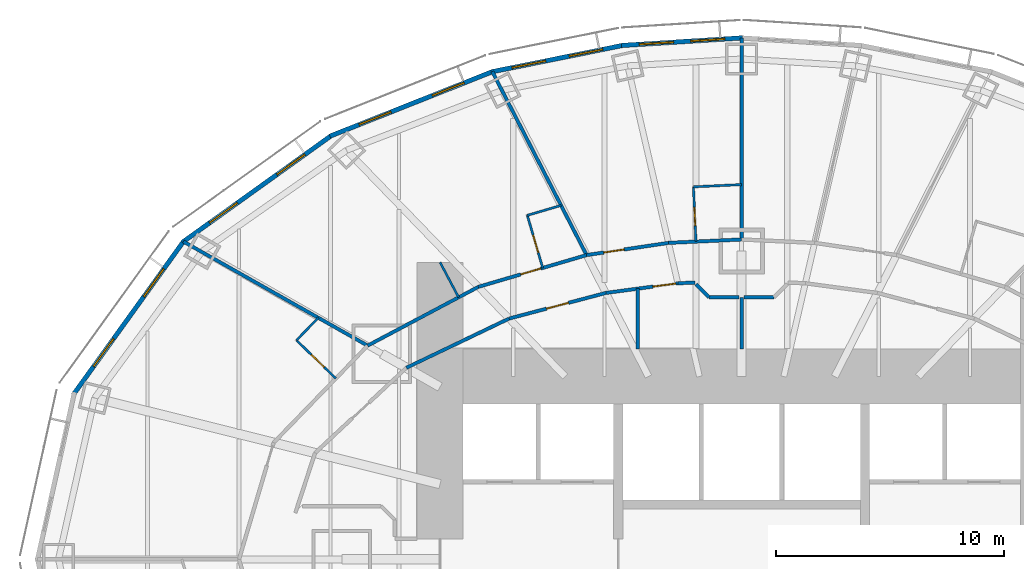
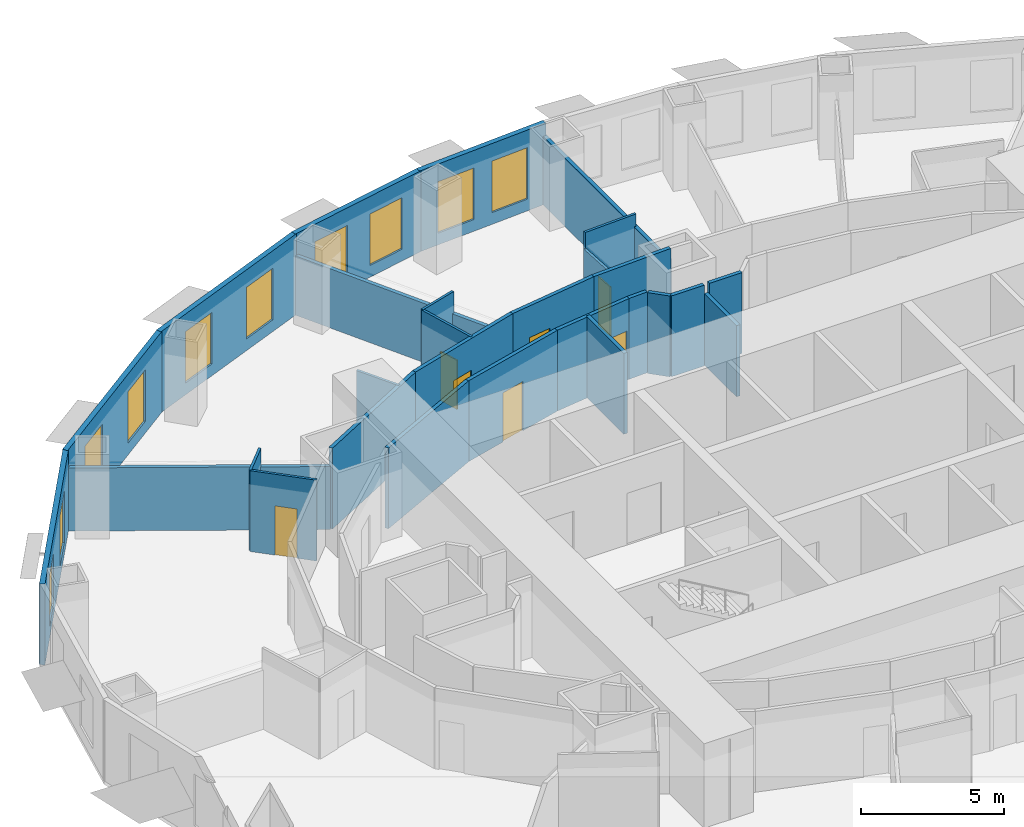
# One storey, part 9 of 15: 28 walls, 10 windows, 7 doors, 17 openings.
"""IFC4 building model written with IfcOpenShell, lengths in metres."""

from ifc_helpers import new_model, si_unit, direction, frame, frame_2d, origin, place, context, subcontext, project, spatial, rectangle, extrude, material, layer, layer_set, type_object, element, fill, save


model = new_model("IFC4")

# Units and contexts
model_context = context("Model", 3, precision=1e-05, world=origin(), true_north=direction((0.0, 1.0)))
body_context = subcontext(model_context, "Body", "Model", "MODEL_VIEW")
ifc_project = project(units=[si_unit("LENGTHUNIT", "METRE"), si_unit("AREAUNIT", "SQUARE_METRE"), si_unit("VOLUMEUNIT", "CUBIC_METRE"), si_unit("PLANEANGLEUNIT", "RADIAN"), si_unit("MASSUNIT", "GRAM", prefix="KILO")], contexts=[model_context])

# Site, building, storey
site_placement = place(None, origin())
site = spatial("IfcSite", under=ifc_project, at=site_placement, CompositionType="ELEMENT")
building_placement = place(site_placement, origin())
building = spatial("IfcBuilding", under=site, at=building_placement, Name="Lantaw Convention Tower", CompositionType="ELEMENT")
storey_placement = place(building_placement, frame((0.0, 0.0, 73.0)))
storey = spatial("IfcBuildingStorey", under=building, at=storey_placement, Name="L16", CompositionType="ELEMENT", Elevation=73.0)

# Wall
ifc_material_1 = material(Name="Gypsum board on steel studs", Category="steel")
ifc_layer_1 = layer(ifc_material_1, 0.14990234375)
ifc_layer_set_1 = layer_set([ifc_layer_1], Name="Back of house wall 150")
wall_type_1 = type_object("IfcWallType", Name="Back of house wall 150", PredefinedType="PARTITIONING", material=ifc_layer_set_1)
wall_1_placement = place(storey_placement, frame((0.0, 9.199951171875, 0.0), z_axis=(0.0, 0.0, 1.0), x_axis=(0.0, 1.0, 0.0)))
element("IfcWall", 1, at=wall_1_placement, inside=storey, type_object=wall_type_1, Name="Back of house wall 150", PredefinedType="PARTITIONING", context=body_context, shape_type="SweptSolid", body=[
    extrude(rectangle(XDim=2.26513671875, YDim=0.14990234375, at=frame_2d((1.132568359375, 0.0))), origin(), (0.0, 0.0, 1.0), 3.043701171875),
])

# Wall, opening, door
ifc_material_2 = material(Name="Moisture resistant gypsum board on steel studs", Category="steel")
ifc_layer_2 = layer(ifc_material_2, 0.10009765625)
ifc_layer_set_2 = layer_set([ifc_layer_2], Name="Bathroom wall 100")
wall_type_2 = type_object("IfcWallType", Name="Bathroom wall 100", PredefinedType="PARTITIONING", material=ifc_layer_set_2)
wall_2_placement = place(storey_placement, frame((-1.997802734375, 13.9072265625, 0.0), z_axis=(0.0, 0.0, 1.0), x_axis=(-0.046492089498, 0.998918658157, 0.0)))
wall_2 = element("IfcWall", 2, at=wall_2_placement, inside=storey, type_object=wall_type_2, Name="Bathroom wall 100", PredefinedType="PARTITIONING", context=body_context, shape_type="SweptSolid", body=[
    extrude(rectangle(XDim=2.39990234375, YDim=0.10009765625, at=frame_2d((1.199951171875, 0.0))), origin(), (0.0, 0.0, 1.0), 2.7490234375),
])
opening_1_placement = place(wall_2_placement, frame((0.699951171875, 0.0, 0.0)))
opening_1 = element("IfcOpeningElement", 3, at=opening_1_placement, cuts=wall_2, Name="Opening L16.33", PredefinedType="OPENING", context=body_context, shape_type="SweptSolid", body=[
    extrude(rectangle(XDim=0.800048828125, YDim=2.10009765625, at=frame_2d((0.39990234375, 1.050048828125))), frame((0.0, 0.06005859375, 0.0), z_axis=(0.0, -1.0, 0.0), x_axis=(1.0, 0.0, 0.0)), (0.0, 0.0, 1.0), 0.1201171875),
])
ifc_material_3 = material(Name="Timber", Category="wood")
door_type_1 = type_object("IfcDoorType", Name="Bathroom door 800", OperationType="SINGLE_SWING_LEFT", PredefinedType="DOOR", material=ifc_material_3)
door_1_placement = place(opening_1_placement, origin())
door_1 = element("IfcDoor", 4, at=door_1_placement, inside=storey, type_object=door_type_1, Name="Bathroom door", OperationType="SINGLE_SWING_LEFT", OverallHeight=2.10009765625, OverallWidth=0.800048828125, PredefinedType="DOOR", context=body_context, shape_type="SweptSolid", body=[
    extrude(rectangle(XDim=0.800048828125, YDim=2.10009765625, at=frame_2d((0.39990234375, 1.050048828125))), frame((0.0, 0.02490234375, 0.0), z_axis=(0.0, -1.0, 0.0), x_axis=(1.0, 0.0, 0.0)), (0.0, 0.0, 1.0), 0.050048828125),
])
fill(opening_1, door_1)

# Wall
wall_3_placement = place(storey_placement, frame((-2.109375, 16.304443359375, 0.0), z_axis=(0.0, 0.0, 1.0), x_axis=(0.998919337223, 0.04647749694, 0.0)))
element("IfcWall", 5, at=wall_3_placement, inside=storey, type_object=wall_type_2, Name="Bathroom wall 100", PredefinedType="PARTITIONING", context=body_context, shape_type="SweptSolid", body=[
    extrude(rectangle(XDim=2.111572265625, YDim=0.10009765625, at=frame_2d((1.0556640625, 0.0))), origin(), (0.0, 0.0, 1.0), 3.449951171875),
])

# Wall, opening, door
wall_4_placement = place(storey_placement, frame((-8.70458984375, 12.75390625, 0.0), z_axis=(0.0, 0.0, 1.0), x_axis=(-0.281659633817, 0.959514382736, 0.0)))
wall_4 = element("IfcWall", 6, at=wall_4_placement, inside=storey, type_object=wall_type_2, Name="Bathroom wall 100", PredefinedType="PARTITIONING", context=body_context, shape_type="SweptSolid", body=[
    extrude(rectangle(XDim=2.400146484375, YDim=0.10009765625, at=frame_2d((1.2001953125, 0.0))), origin(), (0.0, 0.0, 1.0), 3.449951171875),
])
opening_2_placement = place(wall_4_placement, frame((0.699951171875, 0.0, 0.0)))
opening_2 = element("IfcOpeningElement", 7, at=opening_2_placement, cuts=wall_4, Name="Opening L16.35", PredefinedType="OPENING", context=body_context, shape_type="SweptSolid", body=[
    extrude(rectangle(XDim=0.800048828125, YDim=2.10009765625, at=frame_2d((0.39990234375, 1.050048828125))), frame((0.0, 0.06005859375, 0.0), z_axis=(0.0, -1.0, 0.0), x_axis=(1.0, 0.0, 0.0)), (0.0, 0.0, 1.0), 0.1201171875),
])
door_2_placement = place(opening_2_placement, origin())
door_2 = element("IfcDoor", 8, at=door_2_placement, inside=storey, type_object=door_type_1, Name="Bathroom door", OperationType="SINGLE_SWING_LEFT", OverallHeight=2.10009765625, OverallWidth=0.800048828125, PredefinedType="DOOR", context=body_context, shape_type="SweptSolid", body=[
    extrude(rectangle(XDim=0.800048828125, YDim=2.10009765625, at=frame_2d((0.39990234375, 1.050048828125))), frame((0.0, 0.02490234375, 0.0), z_axis=(0.0, -1.0, 0.0), x_axis=(1.0, 0.0, 0.0)), (0.0, 0.0, 1.0), 0.050048828125),
])
fill(opening_2, door_2)

# Wall
wall_5_placement = place(storey_placement, frame((-9.380615234375, 15.056884765625, 0.0), z_axis=(0.0, 0.0, 1.0), x_axis=(0.959518451093, 0.281645773999, 0.0)))
element("IfcWall", 9, at=wall_5_placement, inside=storey, type_object=wall_type_2, Name="Bathroom wall 100", PredefinedType="PARTITIONING", context=body_context, shape_type="SweptSolid", body=[
    extrude(rectangle(XDim=1.549072265625, YDim=0.10009765625, at=frame_2d((0.7744140625, 0.0))), origin(), (0.0, 0.0, 1.0), 3.449951171875),
])

# Wall, opening, door
wall_6_placement = place(storey_placement, frame((-17.7607421875, 7.91748046875, 0.0), z_axis=(0.0, 0.0, 1.0), x_axis=(-0.718157610206, 0.695880483204, 0.0)))
wall_6 = element("IfcWall", 10, at=wall_6_placement, inside=storey, type_object=wall_type_2, Name="Bathroom wall 100", PredefinedType="PARTITIONING", context=body_context, shape_type="SweptSolid", body=[
    extrude(rectangle(XDim=2.400146484375, YDim=0.10009765625, at=frame_2d((1.2001953125, 0.0))), origin(), (0.0, 0.0, 1.0), 3.449951171875),
])
opening_3_placement = place(wall_6_placement, frame((0.699951171875, 0.0, 0.0)))
opening_3 = element("IfcOpeningElement", 11, at=opening_3_placement, cuts=wall_6, Name="Opening L16.37", PredefinedType="OPENING", context=body_context, shape_type="SweptSolid", body=[
    extrude(rectangle(XDim=0.800048828125, YDim=2.10009765625, at=frame_2d((0.39990234375, 1.050048828125))), frame((0.0, 0.06005859375, 0.0), z_axis=(0.0, -1.0, 0.0), x_axis=(1.0, 0.0, 0.0)), (0.0, 0.0, 1.0), 0.1201171875),
])
door_3_placement = place(opening_3_placement, origin())
door_3 = element("IfcDoor", 12, at=door_3_placement, inside=storey, type_object=door_type_1, Name="Bathroom door", OperationType="SINGLE_SWING_LEFT", OverallHeight=2.10009765625, OverallWidth=0.800048828125, PredefinedType="DOOR", context=body_context, shape_type="SweptSolid", body=[
    extrude(rectangle(XDim=0.800048828125, YDim=2.10009765625, at=frame_2d((0.39990234375, 1.050048828125))), frame((0.0, 0.02490234375, 0.0), z_axis=(0.0, -1.0, 0.0), x_axis=(1.0, 0.0, 0.0)), (0.0, 0.0, 1.0), 0.050048828125),
])
fill(opening_3, door_3)

# Walls
wall_7_placement = place(storey_placement, frame((-19.484375, 9.587646484375, 0.0), z_axis=(0.0, 0.0, 1.0), x_axis=(0.695920174922, 0.718119147591, 0.0)))
element("IfcWall", 13, at=wall_7_placement, inside=storey, type_object=wall_type_2, Name="Bathroom wall 100", PredefinedType="PARTITIONING", context=body_context, shape_type="SweptSolid", body=[
    extrude(rectangle(XDim=1.3857421875, YDim=0.10009765625, at=frame_2d((0.69287109375, 0.0))), origin(), (0.0, 0.0, 1.0), 3.449951171875),
])
ifc_material_4 = material(Name="Gypsum board on steel studs, fire rated", Category="steel")
ifc_layer_3 = layer(ifc_material_4, 0.14990234375)
ifc_layer_set_3 = layer_set([ifc_layer_3], Name="Corridor wall 150 EI 60")
wall_type_3 = type_object("IfcWallType", Name="Corridor wall 150 EI 60", PredefinedType="PARTITIONING", material=ifc_layer_set_3)
wall_8_placement = place(storey_placement, frame((0.0, 14.0, 0.0), z_axis=(0.0, 0.0, 1.0), x_axis=(-0.998920826789, -0.046445471333, 0.0)))
element("IfcWall", 14, at=wall_8_placement, inside=storey, type_object=wall_type_3, Name="Corridor wall 150", PredefinedType="PARTITIONING", context=body_context, shape_type="SweptSolid", body=[
    extrude(rectangle(XDim=3.201171875, YDim=0.14990234375, at=frame_2d((1.6005859375, 0.0))), origin(), (0.0, 0.0, 1.0), 3.449951171875),
])

# Wall, opening, door
wall_9_placement = place(storey_placement, frame((-3.19775390625, 13.851318359375, 0.0), z_axis=(0.0, 0.0, 1.0), x_axis=(-0.989107488999, -0.14719502439, 0.0)))
wall_9 = element("IfcWall", 15, at=wall_9_placement, inside=storey, type_object=wall_type_3, Name="Corridor wall 150", PredefinedType="PARTITIONING", context=body_context, shape_type="SweptSolid", body=[
    extrude(rectangle(XDim=3.62744140625, YDim=0.14990234375, at=frame_2d((1.813720703125, 0.0))), origin(), (0.0, 0.0, 1.0), 3.449951171875),
])
opening_4_placement = place(wall_9_placement, frame((1.970458984375, 0.0, 0.0)))
opening_4 = element("IfcOpeningElement", 16, at=opening_4_placement, cuts=wall_9, Name="Opening L16.34", PredefinedType="OPENING", context=body_context, shape_type="SweptSolid", body=[
    extrude(rectangle(XDim=0.89990234375, YDim=2.10009765625, at=frame_2d((0.449951171875, 1.050048828125))), frame((0.0, 0.0849609375, 0.0), z_axis=(0.0, -1.0, 0.0), x_axis=(1.0, 0.0, 0.0)), (0.0, 0.0, 1.0), 0.169921875),
])
ifc_material_5 = material(Name="Steel, fire rated", Category="steel")
door_type_2 = type_object("IfcDoorType", Name="Guest room entrance door FD30S", OperationType="SINGLE_SWING_LEFT", PredefinedType="DOOR", material=ifc_material_5)
door_4_placement = place(opening_4_placement, origin())
door_4 = element("IfcDoor", 17, at=door_4_placement, inside=storey, type_object=door_type_2, Name="Junior suite entrance door", OperationType="SINGLE_SWING_LEFT", OverallHeight=2.10009765625, OverallWidth=0.89990234375, PredefinedType="DOOR", context=body_context, shape_type="SweptSolid", body=[
    extrude(rectangle(XDim=0.89990234375, YDim=2.10009765625, at=frame_2d((0.449951171875, 1.050048828125))), frame((0.0, 0.02490234375, 0.0), z_axis=(0.0, -1.0, 0.0), x_axis=(1.0, 0.0, 0.0)), (0.0, 0.0, 1.0), 0.050048828125),
])
fill(opening_4, door_4)

wall_10_placement = place(storey_placement, frame((-6.78564453125, 13.3173828125, 0.0), z_axis=(0.0, 0.0, 1.0), x_axis=(-0.959496227294, -0.281721475589, 0.0)))
wall_10 = element("IfcWall", 18, at=wall_10_placement, inside=storey, type_object=wall_type_3, Name="Corridor wall 150", PredefinedType="PARTITIONING", context=body_context, shape_type="SweptSolid", body=[
    extrude(rectangle(XDim=4.9326171875, YDim=0.14990234375, at=frame_2d((2.46630859375, 0.0))), origin(), (0.0, 0.0, 1.0), 3.449951171875),
])
opening_5_placement = place(wall_10_placement, frame((2.10009765625, 0.0, 0.0)))
opening_5 = element("IfcOpeningElement", 19, at=opening_5_placement, cuts=wall_10, Name="Opening L16.36", PredefinedType="OPENING", context=body_context, shape_type="SweptSolid", body=[
    extrude(rectangle(XDim=0.89990234375, YDim=2.10009765625, at=frame_2d((0.449951171875, 1.050048828125))), frame((0.0, 0.0849609375, 0.0), z_axis=(0.0, -1.0, 0.0), x_axis=(1.0, 0.0, 0.0)), (0.0, 0.0, 1.0), 0.169921875),
])
door_5_placement = place(opening_5_placement, origin())
door_5 = element("IfcDoor", 20, at=door_5_placement, inside=storey, type_object=door_type_2, Name="Junior suite entrance door", OperationType="SINGLE_SWING_LEFT", OverallHeight=2.10009765625, OverallWidth=0.89990234375, PredefinedType="DOOR", context=body_context, shape_type="SweptSolid", body=[
    extrude(rectangle(XDim=0.89990234375, YDim=2.10009765625, at=frame_2d((0.449951171875, 1.050048828125))), frame((0.0, 0.02490234375, 0.0), z_axis=(0.0, -1.0, 0.0), x_axis=(1.0, 0.0, 0.0)), (0.0, 0.0, 1.0), 0.050048828125),
])
fill(opening_5, door_5)

# Wall
wall_11_placement = place(storey_placement, frame((-11.5185546875, 11.927734375, 0.0), z_axis=(0.0, 0.0, 1.0), x_axis=(-0.883334368785, -0.468743419071, 0.0)))
element("IfcWall", 21, at=wall_11_placement, inside=storey, type_object=wall_type_3, Name="Corridor wall 150", PredefinedType="PARTITIONING", context=body_context, shape_type="SweptSolid", body=[
    extrude(rectangle(XDim=5.4912109375, YDim=0.14990234375, at=frame_2d((2.74560546875, 0.0))), origin(), (0.0, 0.0, 1.0), 3.449951171875),
])

# Wall, opening, door
wall_12_placement = place(storey_placement, frame((-2.78955078125, 12.0830078125, 0.0), z_axis=(0.0, 0.0, 1.0), x_axis=(-0.991129053928, -0.13290296633, 0.0)))
wall_12 = element("IfcWall", 22, at=wall_12_placement, inside=storey, type_object=wall_type_3, Name="Corridor wall 150", PredefinedType="PARTITIONING", context=body_context, shape_type="SweptSolid", body=[
    extrude(rectangle(XDim=3.179931640625, YDim=0.14990234375, at=frame_2d((1.58984375, 0.0))), origin(), (0.0, 0.0, 1.0), 3.449951171875),
])
opening_6_placement = place(wall_12_placement, frame((0.10009765625, 0.0, 0.0)))
opening_6 = element("IfcOpeningElement", 23, at=opening_6_placement, cuts=wall_12, Name="Opening L16.19", PredefinedType="OPENING", context=body_context, shape_type="SweptSolid", body=[
    extrude(rectangle(XDim=1.0, YDim=2.10009765625, at=frame_2d((0.5, 1.050048828125))), frame((0.0, 0.0849609375, 0.0), z_axis=(0.0, -1.0, 0.0), x_axis=(1.0, 0.0, 0.0)), (0.0, 0.0, 1.0), 0.169921875),
])
door_type_3 = type_object("IfcDoorType", Name="Accessible WC door 1000 FD30", OperationType="SINGLE_SWING_LEFT", PredefinedType="DOOR", material=ifc_material_5)
door_6_placement = place(opening_6_placement, origin())
door_6 = element("IfcDoor", 24, at=door_6_placement, inside=storey, type_object=door_type_3, Name="Accessible WC door", OperationType="SINGLE_SWING_LEFT", OverallHeight=2.10009765625, OverallWidth=1.0, PredefinedType="DOOR", context=body_context, shape_type="SweptSolid", body=[
    extrude(rectangle(XDim=1.0, YDim=2.10009765625, at=frame_2d((0.5, 1.050048828125))), frame((0.0, 0.02490234375, 0.0), z_axis=(0.0, -1.0, 0.0), x_axis=(1.0, 0.0, 0.0)), (0.0, 0.0, 1.0), 0.050048828125),
])
fill(opening_6, door_6)

wall_13_placement = place(storey_placement, frame((-5.941162109375, 11.660400390625, 0.0), z_axis=(0.0, 0.0, 1.0), x_axis=(-0.966672790407, -0.256015070428, 0.0)))
wall_13 = element("IfcWall", 25, at=wall_13_placement, inside=storey, type_object=wall_type_3, Name="Corridor wall 150", PredefinedType="PARTITIONING", context=body_context, shape_type="SweptSolid", body=[
    extrude(rectangle(XDim=4.3818359375, YDim=0.14990234375, at=frame_2d((2.19091796875, 0.0))), origin(), (0.0, 0.0, 1.0), 3.449951171875),
])
opening_7_placement = place(wall_13_placement, frame((1.69091796875, 0.0, 0.0)))
opening_7 = element("IfcOpeningElement", 26, at=opening_7_placement, cuts=wall_13, Name="Opening L16.20", PredefinedType="OPENING", context=body_context, shape_type="SweptSolid", body=[
    extrude(rectangle(XDim=1.0, YDim=2.10009765625, at=frame_2d((0.5, 1.050048828125))), frame((0.0, 0.0849609375, 0.0), z_axis=(0.0, -1.0, 0.0), x_axis=(1.0, 0.0, 0.0)), (0.0, 0.0, 1.0), 0.169921875),
])
door_type_4 = type_object("IfcDoorType", Name="Service door 1000 FD30", OperationType="SINGLE_SWING_LEFT", PredefinedType="DOOR", material=ifc_material_5)
door_7_placement = place(opening_7_placement, origin())
door_7 = element("IfcDoor", 27, at=door_7_placement, inside=storey, type_object=door_type_4, Name="Housekeeping room door", OperationType="SINGLE_SWING_LEFT", OverallHeight=2.10009765625, OverallWidth=1.0, PredefinedType="DOOR", context=body_context, shape_type="SweptSolid", body=[
    extrude(rectangle(XDim=1.0, YDim=2.10009765625, at=frame_2d((0.5, 1.050048828125))), frame((0.0, 0.02490234375, 0.0), z_axis=(0.0, -1.0, 0.0), x_axis=(1.0, 0.0, 0.0)), (0.0, 0.0, 1.0), 0.050048828125),
])
fill(opening_7, door_7)

# Walls
wall_14_placement = place(storey_placement, frame((-10.177001953125, 10.53857421875, 0.0), z_axis=(0.0, 0.0, 1.0), x_axis=(-0.901869692799, -0.43200816799, 0.0)))
element("IfcWall", 28, at=wall_14_placement, inside=storey, type_object=wall_type_3, Name="Corridor wall 150", PredefinedType="PARTITIONING", context=body_context, shape_type="SweptSolid", body=[
    extrude(rectangle(XDim=4.985595703125, YDim=0.14990234375, at=frame_2d((2.49267578125, 0.0))), origin(), (0.0, 0.0, 1.0), 3.449951171875),
])
wall_15_placement = place(storey_placement, frame((-2.034912109375, 12.11474609375, 0.0), z_axis=(0.0, 0.0, 1.0), x_axis=(-0.999116751279, -0.042020439232, 0.0)))
element("IfcWall", 29, at=wall_15_placement, inside=storey, type_object=wall_type_3, Name="Corridor wall 150", PredefinedType="PARTITIONING", context=body_context, shape_type="SweptSolid", body=[
    extrude(rectangle(XDim=0.75537109375, YDim=0.14990234375, at=frame_2d((0.377685546875, 0.0))), origin(), (0.0, 0.0, 1.0), 3.449951171875),
])
for number, where, z_axis, x_axis, name in (
    (30, (1.424560546875, 11.47509765625, 0.0), (0.0, 0.0, 1.0), (-1.0, 0.0, 0.0), "Corridor wall 150"),
    (31, (-0.103271484375, 11.47509765625, 0.0), (0.0, 0.0, 1.0), (-1.0, 0.0, 0.0), "Corridor wall 150"),
):
    element("IfcWall", number, at=place(storey_placement, frame(where, z_axis=z_axis, x_axis=x_axis)), inside=storey, type_object=wall_type_3, Name=name, PredefinedType="PARTITIONING", context=body_context, shape_type="SweptSolid", body=[
        extrude(rectangle(XDim=1.3212890625, YDim=0.14990234375, at=frame_2d((0.66064453125, 0.0))), origin(), (0.0, 0.0, 1.0), 3.449951171875),
    ])
wall_16_placement = place(storey_placement, frame((-1.424560546875, 11.47509765625, 0.0), z_axis=(0.0, 0.0, 1.0), x_axis=(-0.707106781187, 0.707106781187, 0.0)))
element("IfcWall", 32, at=wall_16_placement, inside=storey, type_object=wall_type_3, Name="Corridor wall 150", PredefinedType="PARTITIONING", context=body_context, shape_type="SweptSolid", body=[
    extrude(rectangle(XDim=0.808349609375, YDim=0.14990234375, at=frame_2d((0.404296875, 0.0))), origin(), (0.0, 0.0, 1.0), 3.449951171875),
])

# Wall, openings, windows
ifc_material_6 = material(Name="Insulated aluminium panel on steel frame", Category="steel")
ifc_layer_4 = layer(ifc_material_6, 0.199951171875)
ifc_layer_set_4 = layer_set([ifc_layer_4], Name="External wall 200")
wall_type_4 = type_object("IfcWallType", Name="External wall 200", PredefinedType="SOLIDWALL", material=ifc_layer_set_4)
wall_17_placement = place(storey_placement, frame((0.041015625, 22.8271484375, 0.0), z_axis=(0.0, 0.0, 1.0), x_axis=(-0.998018582375, -0.062919863585, 0.0)))
wall_17 = element("IfcWall", 33, at=wall_17_placement, inside=storey, type_object=wall_type_4, Name="Facade panel wall", PredefinedType="SOLIDWALL", context=body_context, shape_type="SweptSolid", body=[
    extrude(rectangle(XDim=5.30419921875, YDim=0.199951171875, at=frame_2d((2.652099609375, 0.0))), origin(), (0.0, 0.0, 1.0), 3.449951171875),
])
opening_8_placement = place(wall_17_placement, frame((0.77587890625, 0.0, 0.5)))
opening_8 = element("IfcOpeningElement", 34, at=opening_8_placement, cuts=wall_17, Name="Opening W2", PredefinedType="OPENING", context=body_context, shape_type="SweptSolid", body=[
    extrude(rectangle(XDim=1.5, YDim=2.199951171875, at=frame_2d((0.75, 1.10009765625))), frame((0.0, 0.10986328125, 0.0), z_axis=(0.0, -1.0, 0.0), x_axis=(1.0, 0.0, 0.0)), (0.0, 0.0, 1.0), 0.219970703125),
])
opening_9_placement = place(wall_17_placement, frame((3.028076171875, 0.0, 0.5)))
opening_9 = element("IfcOpeningElement", 35, at=opening_9_placement, cuts=wall_17, Name="Opening W2", PredefinedType="OPENING", context=body_context, shape_type="SweptSolid", body=[
    extrude(rectangle(XDim=1.5, YDim=2.199951171875, at=frame_2d((0.75, 1.10009765625))), frame((0.0, 0.10986328125, 0.0), z_axis=(0.0, -1.0, 0.0), x_axis=(1.0, 0.0, 0.0)), (0.0, 0.0, 1.0), 0.219970703125),
])
ifc_material_7 = material(Name="Aluminium frame, clear insulating glass", Category="aluminium")
window_type = type_object("IfcWindowType", Name="Suite window 1500x2200", PartitioningType="SINGLE_PANEL", PredefinedType="WINDOW", material=ifc_material_7)
window_1_placement = place(opening_8_placement, origin())
window_1 = element("IfcWindow", 36, at=window_1_placement, inside=storey, type_object=window_type, Name="Guest room window", OverallHeight=2.199951171875, OverallWidth=1.5, PartitioningType="SINGLE_PANEL", PredefinedType="WINDOW", context=body_context, shape_type="SweptSolid", body=[
    extrude(rectangle(XDim=1.5, YDim=2.199951171875, at=frame_2d((0.75, 1.10009765625))), frame((0.0, 0.030029296875, 0.0), z_axis=(0.0, -1.0, 0.0), x_axis=(1.0, 0.0, 0.0)), (0.0, 0.0, 1.0), 0.06005859375),
])
fill(opening_8, window_1)
window_2_placement = place(opening_9_placement, origin())
window_2 = element("IfcWindow", 37, at=window_2_placement, inside=storey, type_object=window_type, Name="Guest room window", OverallHeight=2.199951171875, OverallWidth=1.5, PartitioningType="SINGLE_PANEL", PredefinedType="WINDOW", context=body_context, shape_type="SweptSolid", body=[
    extrude(rectangle(XDim=1.5, YDim=2.199951171875, at=frame_2d((0.75, 1.10009765625))), frame((0.0, 0.030029296875, 0.0), z_axis=(0.0, -1.0, 0.0), x_axis=(1.0, 0.0, 0.0)), (0.0, 0.0, 1.0), 0.06005859375),
])
fill(opening_9, window_2)

wall_18_placement = place(storey_placement, frame((-5.169677734375, 22.504150390625, 0.0), z_axis=(0.0, 0.0, 1.0), x_axis=(-0.980251657452, -0.197754110105, 0.0)))
wall_18 = element("IfcWall", 38, at=wall_18_placement, inside=storey, type_object=wall_type_4, Name="Facade panel wall", PredefinedType="SOLIDWALL", context=body_context, shape_type="SweptSolid", body=[
    extrude(rectangle(XDim=5.90380859375, YDim=0.199951171875, at=frame_2d((2.951904296875, 0.0))), origin(), (0.0, 0.0, 1.0), 3.449951171875),
])
opening_10_placement = place(wall_18_placement, frame((0.92578125, 0.0, 0.5)))
opening_10 = element("IfcOpeningElement", 39, at=opening_10_placement, cuts=wall_18, Name="Opening W2", PredefinedType="OPENING", context=body_context, shape_type="SweptSolid", body=[
    extrude(rectangle(XDim=1.5, YDim=2.199951171875, at=frame_2d((0.75, 1.10009765625))), frame((0.0, 0.10986328125, 0.0), z_axis=(0.0, -1.0, 0.0), x_axis=(1.0, 0.0, 0.0)), (0.0, 0.0, 1.0), 0.219970703125),
])
opening_11_placement = place(wall_18_placement, frame((3.477783203125, 0.0, 0.5)))
opening_11 = element("IfcOpeningElement", 40, at=opening_11_placement, cuts=wall_18, Name="Opening W2", PredefinedType="OPENING", context=body_context, shape_type="SweptSolid", body=[
    extrude(rectangle(XDim=1.5, YDim=2.199951171875, at=frame_2d((0.75, 1.10009765625))), frame((0.0, 0.10986328125, 0.0), z_axis=(0.0, -1.0, 0.0), x_axis=(1.0, 0.0, 0.0)), (0.0, 0.0, 1.0), 0.219970703125),
])
window_3_placement = place(opening_10_placement, origin())
window_3 = element("IfcWindow", 41, at=window_3_placement, inside=storey, type_object=window_type, Name="Guest room window", OverallHeight=2.199951171875, OverallWidth=1.5, PartitioningType="SINGLE_PANEL", PredefinedType="WINDOW", context=body_context, shape_type="SweptSolid", body=[
    extrude(rectangle(XDim=1.5, YDim=2.199951171875, at=frame_2d((0.75, 1.10009765625))), frame((0.0, 0.030029296875, 0.0), z_axis=(0.0, -1.0, 0.0), x_axis=(1.0, 0.0, 0.0)), (0.0, 0.0, 1.0), 0.06005859375),
])
fill(opening_10, window_3)
window_4_placement = place(opening_11_placement, origin())
window_4 = element("IfcWindow", 42, at=window_4_placement, inside=storey, type_object=window_type, Name="Guest room window", OverallHeight=2.199951171875, OverallWidth=1.5, PartitioningType="SINGLE_PANEL", PredefinedType="WINDOW", context=body_context, shape_type="SweptSolid", body=[
    extrude(rectangle(XDim=1.5, YDim=2.199951171875, at=frame_2d((0.75, 1.10009765625))), frame((0.0, 0.030029296875, 0.0), z_axis=(0.0, -1.0, 0.0), x_axis=(1.0, 0.0, 0.0)), (0.0, 0.0, 1.0), 0.06005859375),
])
fill(opening_11, window_4)

wall_19_placement = place(storey_placement, frame((-10.869384765625, 21.362548828125, 0.0), z_axis=(0.0, 0.0, 1.0), x_axis=(-0.929358351251, -0.369178892895, 0.0)))
wall_19 = element("IfcWall", 43, at=wall_19_placement, inside=storey, type_object=wall_type_4, Name="Facade panel wall", PredefinedType="SOLIDWALL", context=body_context, shape_type="SweptSolid", body=[
    extrude(rectangle(XDim=7.6923828125, YDim=0.199951171875, at=frame_2d((3.84619140625, 0.0))), origin(), (0.0, 0.0, 1.0), 3.449951171875),
])
opening_12_placement = place(wall_19_placement, frame((1.373046875, 0.0, 0.5)))
opening_12 = element("IfcOpeningElement", 44, at=opening_12_placement, cuts=wall_19, Name="Opening W2", PredefinedType="OPENING", context=body_context, shape_type="SweptSolid", body=[
    extrude(rectangle(XDim=1.5, YDim=2.199951171875, at=frame_2d((0.75, 1.10009765625))), frame((0.0, 0.10986328125, 0.0), z_axis=(0.0, -1.0, 0.0), x_axis=(1.0, 0.0, 0.0)), (0.0, 0.0, 1.0), 0.219970703125),
])
opening_13_placement = place(wall_19_placement, frame((4.819091796875, 0.0, 0.5)))
opening_13 = element("IfcOpeningElement", 45, at=opening_13_placement, cuts=wall_19, Name="Opening W2", PredefinedType="OPENING", context=body_context, shape_type="SweptSolid", body=[
    extrude(rectangle(XDim=1.5, YDim=2.199951171875, at=frame_2d((0.75, 1.10009765625))), frame((0.0, 0.10986328125, 0.0), z_axis=(0.0, -1.0, 0.0), x_axis=(1.0, 0.0, 0.0)), (0.0, 0.0, 1.0), 0.219970703125),
])
window_5_placement = place(opening_12_placement, origin())
window_5 = element("IfcWindow", 46, at=window_5_placement, inside=storey, type_object=window_type, Name="Guest room window", OverallHeight=2.199951171875, OverallWidth=1.5, PartitioningType="SINGLE_PANEL", PredefinedType="WINDOW", context=body_context, shape_type="SweptSolid", body=[
    extrude(rectangle(XDim=1.5, YDim=2.199951171875, at=frame_2d((0.75, 1.10009765625))), frame((0.0, 0.030029296875, 0.0), z_axis=(0.0, -1.0, 0.0), x_axis=(1.0, 0.0, 0.0)), (0.0, 0.0, 1.0), 0.06005859375),
])
fill(opening_12, window_5)
window_6_placement = place(opening_13_placement, origin())
window_6 = element("IfcWindow", 47, at=window_6_placement, inside=storey, type_object=window_type, Name="Guest room window", OverallHeight=2.199951171875, OverallWidth=1.5, PartitioningType="SINGLE_PANEL", PredefinedType="WINDOW", context=body_context, shape_type="SweptSolid", body=[
    extrude(rectangle(XDim=1.5, YDim=2.199951171875, at=frame_2d((0.75, 1.10009765625))), frame((0.0, 0.030029296875, 0.0), z_axis=(0.0, -1.0, 0.0), x_axis=(1.0, 0.0, 0.0)), (0.0, 0.0, 1.0), 0.06005859375),
])
fill(opening_13, window_6)

wall_20_placement = place(storey_placement, frame((-17.9287109375, 18.57177734375, 0.0), z_axis=(0.0, 0.0, 1.0), x_axis=(-0.812791321576, -0.582554948112, 0.0)))
wall_20 = element("IfcWall", 48, at=wall_20_placement, inside=storey, type_object=wall_type_4, Name="Facade panel wall", PredefinedType="SOLIDWALL", context=body_context, shape_type="SweptSolid", body=[
    extrude(rectangle(XDim=8.063232421875, YDim=0.199951171875, at=frame_2d((4.03173828125, 0.0))), origin(), (0.0, 0.0, 1.0), 3.449951171875),
])
opening_14_placement = place(wall_20_placement, frame((1.4658203125, 0.0, 0.5)))
opening_14 = element("IfcOpeningElement", 49, at=opening_14_placement, cuts=wall_20, Name="Opening W2", PredefinedType="OPENING", context=body_context, shape_type="SweptSolid", body=[
    extrude(rectangle(XDim=1.5, YDim=2.199951171875, at=frame_2d((0.75, 1.10009765625))), frame((0.0, 0.10986328125, 0.0), z_axis=(0.0, -1.0, 0.0), x_axis=(1.0, 0.0, 0.0)), (0.0, 0.0, 1.0), 0.219970703125),
])
opening_15_placement = place(wall_20_placement, frame((5.097412109375, 0.0, 0.5)))
opening_15 = element("IfcOpeningElement", 50, at=opening_15_placement, cuts=wall_20, Name="Opening W2", PredefinedType="OPENING", context=body_context, shape_type="SweptSolid", body=[
    extrude(rectangle(XDim=1.5, YDim=2.199951171875, at=frame_2d((0.75, 1.10009765625))), frame((0.0, 0.10986328125, 0.0), z_axis=(0.0, -1.0, 0.0), x_axis=(1.0, 0.0, 0.0)), (0.0, 0.0, 1.0), 0.219970703125),
])
window_7_placement = place(opening_14_placement, origin())
window_7 = element("IfcWindow", 51, at=window_7_placement, inside=storey, type_object=window_type, Name="Guest room window", OverallHeight=2.199951171875, OverallWidth=1.5, PartitioningType="SINGLE_PANEL", PredefinedType="WINDOW", context=body_context, shape_type="SweptSolid", body=[
    extrude(rectangle(XDim=1.5, YDim=2.199951171875, at=frame_2d((0.75, 1.10009765625))), frame((0.0, 0.030029296875, 0.0), z_axis=(0.0, -1.0, 0.0), x_axis=(1.0, 0.0, 0.0)), (0.0, 0.0, 1.0), 0.06005859375),
])
fill(opening_14, window_7)
window_8_placement = place(opening_15_placement, origin())
window_8 = element("IfcWindow", 52, at=window_8_placement, inside=storey, type_object=window_type, Name="Guest room window", OverallHeight=2.199951171875, OverallWidth=1.5, PartitioningType="SINGLE_PANEL", PredefinedType="WINDOW", context=body_context, shape_type="SweptSolid", body=[
    extrude(rectangle(XDim=1.5, YDim=2.199951171875, at=frame_2d((0.75, 1.10009765625))), frame((0.0, 0.030029296875, 0.0), z_axis=(0.0, -1.0, 0.0), x_axis=(1.0, 0.0, 0.0)), (0.0, 0.0, 1.0), 0.06005859375),
])
fill(opening_15, window_8)

wall_21_placement = place(storey_placement, frame((-24.400390625, 13.95654296875, 0.0), z_axis=(0.0, 0.0, 1.0), x_axis=(-0.583937613703, -0.811798536155, 0.0)))
wall_21 = element("IfcWall", 53, at=wall_21_placement, inside=storey, type_object=wall_type_4, Name="Facade panel wall", PredefinedType="SOLIDWALL", context=body_context, shape_type="SweptSolid", body=[
    extrude(rectangle(XDim=8.322998046875, YDim=0.199951171875, at=frame_2d((4.16162109375, 0.0))), origin(), (0.0, 0.0, 1.0), 3.449951171875),
])
opening_16_placement = place(wall_21_placement, frame((1.53076171875, 0.0, 0.5)))
opening_16 = element("IfcOpeningElement", 54, at=opening_16_placement, cuts=wall_21, Name="Opening W2", PredefinedType="OPENING", context=body_context, shape_type="SweptSolid", body=[
    extrude(rectangle(XDim=1.5, YDim=2.199951171875, at=frame_2d((0.75, 1.10009765625))), frame((0.0, 0.10986328125, 0.0), z_axis=(0.0, -1.0, 0.0), x_axis=(1.0, 0.0, 0.0)), (0.0, 0.0, 1.0), 0.219970703125),
])
opening_17_placement = place(wall_21_placement, frame((5.292236328125, 0.0, 0.5)))
opening_17 = element("IfcOpeningElement", 55, at=opening_17_placement, cuts=wall_21, Name="Opening W2", PredefinedType="OPENING", context=body_context, shape_type="SweptSolid", body=[
    extrude(rectangle(XDim=1.5, YDim=2.199951171875, at=frame_2d((0.75, 1.10009765625))), frame((0.0, 0.10986328125, 0.0), z_axis=(0.0, -1.0, 0.0), x_axis=(1.0, 0.0, 0.0)), (0.0, 0.0, 1.0), 0.219970703125),
])
window_9_placement = place(opening_16_placement, origin())
window_9 = element("IfcWindow", 56, at=window_9_placement, inside=storey, type_object=window_type, Name="Guest room window", OverallHeight=2.199951171875, OverallWidth=1.5, PartitioningType="SINGLE_PANEL", PredefinedType="WINDOW", context=body_context, shape_type="SweptSolid", body=[
    extrude(rectangle(XDim=1.5, YDim=2.199951171875, at=frame_2d((0.75, 1.10009765625))), frame((0.0, 0.030029296875, 0.0), z_axis=(0.0, -1.0, 0.0), x_axis=(1.0, 0.0, 0.0)), (0.0, 0.0, 1.0), 0.06005859375),
])
fill(opening_16, window_9)
window_10_placement = place(opening_17_placement, origin())
window_10 = element("IfcWindow", 57, at=window_10_placement, inside=storey, type_object=window_type, Name="Guest room window", OverallHeight=2.199951171875, OverallWidth=1.5, PartitioningType="SINGLE_PANEL", PredefinedType="WINDOW", context=body_context, shape_type="SweptSolid", body=[
    extrude(rectangle(XDim=1.5, YDim=2.199951171875, at=frame_2d((0.75, 1.10009765625))), frame((0.0, 0.030029296875, 0.0), z_axis=(0.0, -1.0, 0.0), x_axis=(1.0, 0.0, 0.0)), (0.0, 0.0, 1.0), 0.06005859375),
])
fill(opening_17, window_10)

# Walls
ifc_material_8 = material(Name="Gypsum board on steel studs, acoustic", Category="steel")
ifc_layer_5 = layer(ifc_material_8, 0.14990234375)
ifc_layer_set_5 = layer_set([ifc_layer_5], Name="Guest room party wall 150")
wall_type_5 = type_object("IfcWallType", Name="Guest room party wall 150", PredefinedType="PARTITIONING", material=ifc_layer_set_5)
wall_22_placement = place(storey_placement, frame((0.0, 22.82470703125, 0.0), z_axis=(0.0, 0.0, 1.0), x_axis=(0.0, -1.0, 0.0)))
element("IfcWall", 58, at=wall_22_placement, inside=storey, type_object=wall_type_5, Name="Guest room party wall 150", PredefinedType="PARTITIONING", context=body_context, shape_type="SweptSolid", body=[
    extrude(rectangle(XDim=8.82470703125, YDim=0.14990234375, at=frame_2d((4.412353515625, 0.0))), origin(), (0.0, 0.0, 1.0), 2.92431640625),
])
wall_23_placement = place(storey_placement, frame((-10.911865234375, 21.345703125, 0.0), z_axis=(0.0, 0.0, 1.0), x_axis=(0.457117602022, -0.889406261458, 0.0)))
element("IfcWall", 59, at=wall_23_placement, inside=storey, type_object=wall_type_5, Name="Guest room party wall 150", PredefinedType="PARTITIONING", context=body_context, shape_type="SweptSolid", body=[
    extrude(rectangle(XDim=9.026611328125, YDim=0.14990234375, at=frame_2d((4.51318359375, 0.0))), origin(), (0.0, 0.0, 1.0), 2.528076171875),
])
wall_24_placement = place(storey_placement, frame((-24.434814453125, 13.90869140625, 0.0), z_axis=(0.0, 0.0, 1.0), x_axis=(0.870744406136, -0.491735883563, 0.0)))
element("IfcWall", 60, at=wall_24_placement, inside=storey, type_object=wall_type_5, Name="Guest room party wall 150", PredefinedType="PARTITIONING", context=body_context, shape_type="SweptSolid", body=[
    extrude(rectangle(XDim=9.262939453125, YDim=0.14990234375, at=frame_2d((4.63134765625, 0.0))), origin(), (0.0, 0.0, 1.0), 2.693115234375),
])
ifc_layer_6 = layer(ifc_material_8, 0.10009765625)
ifc_layer_set_6 = layer_set([ifc_layer_6], Name="Office partition 100")
wall_type_6 = type_object("IfcWallType", Name="Office partition 100", PredefinedType="PARTITIONING", material=ifc_layer_set_6)
wall_25_placement = place(storey_placement, frame((-13.199951171875, 13.0, 0.0), z_axis=(0.0, 0.0, 1.0), x_axis=(0.46874717052, -0.88333237806, 0.0)))
element("IfcWall", 61, at=wall_25_placement, inside=storey, type_object=wall_type_6, Name="Office partition 100", PredefinedType="PARTITIONING", context=body_context, shape_type="SweptSolid", body=[
    extrude(rectangle(XDim=1.7353515625, YDim=0.10009765625, at=frame_2d((0.86767578125, 0.0))), origin(), (0.0, 0.0, 1.0), 3.449951171875),
])
ifc_material_9 = material(Name="Concrete blockwork", Category="masonry")
ifc_layer_7 = layer(ifc_material_9, 0.14990234375)
ifc_layer_set_7 = layer_set([ifc_layer_7], Name="WC wall 150")
wall_type_7 = type_object("IfcWallType", Name="WC wall 150", PredefinedType="SOLIDWALL", material=ifc_layer_set_7)
wall_26_placement = place(storey_placement, frame((-4.550048828125, 9.199951171875, 0.0), z_axis=(0.0, 0.0, 1.0), x_axis=(0.0, 1.0, 0.0)))
element("IfcWall", 62, at=wall_26_placement, inside=storey, type_object=wall_type_7, Name="WC wall 150", PredefinedType="SOLIDWALL", context=body_context, shape_type="SweptSolid", body=[
    extrude(rectangle(XDim=2.64697265625, YDim=0.14990234375, at=frame_2d((1.323486328125, 0.0))), origin(), (0.0, 0.0, 1.0), 3.449951171875),
])

save(model, "model.ifc")
